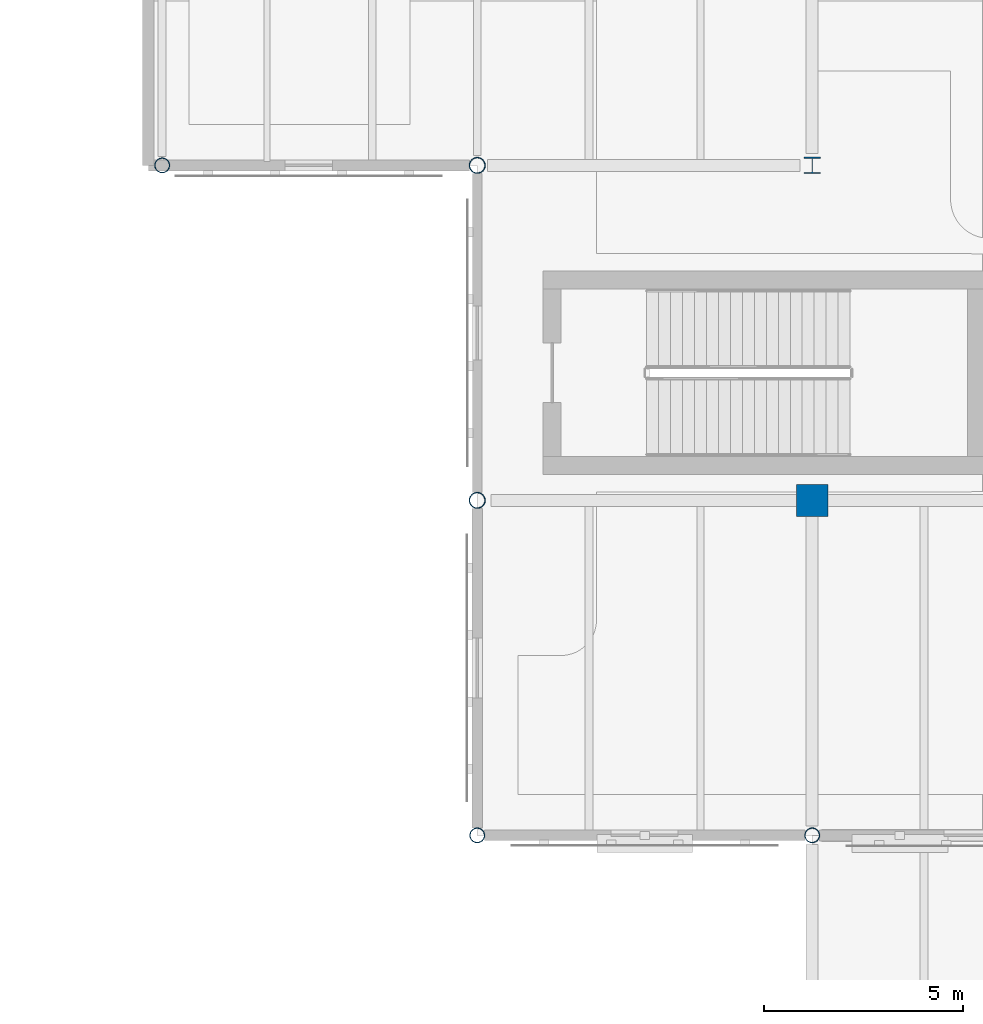
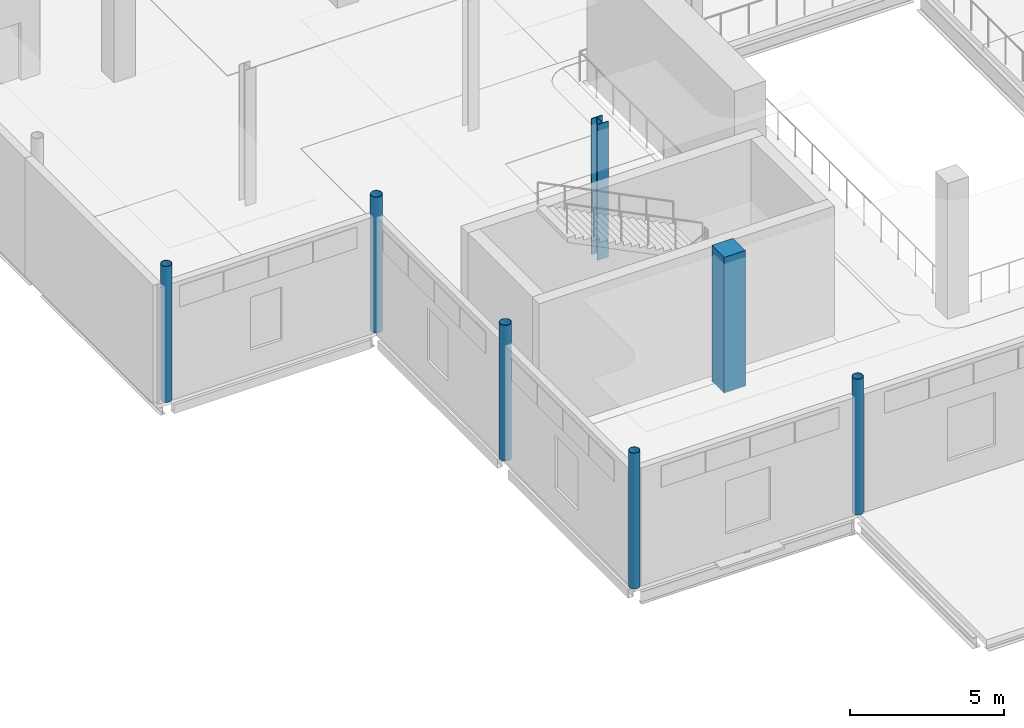
# One storey, part 3 of 110: 7 columns.
"""IFC4 building model written with IfcOpenShell, lengths in metres."""

from ifc_helpers import new_model, si_unit, direction, frame, origin, origin_2d, place, context, subcontext, project, spatial, rectangle, hollow_circle, i_section, extrude, material, material_profile, profile_set, type_object, element, save


model = new_model("IFC4")

# Units and contexts
model_context = context("Model", 3, precision=1e-05, world=origin(), true_north=direction((0.0, 1.0)))
body_context = subcontext(model_context, "Body", "Model", "MODEL_VIEW")
ifc_project = project(units=[si_unit("LENGTHUNIT", "METRE"), si_unit("AREAUNIT", "SQUARE_METRE"), si_unit("VOLUMEUNIT", "CUBIC_METRE"), si_unit("PLANEANGLEUNIT", "RADIAN"), si_unit("MASSUNIT", "GRAM", prefix="KILO"), si_unit("THERMODYNAMICTEMPERATUREUNIT", "KELVIN")], contexts=[model_context])

# Site, building, storey
site_placement = place(None, origin())
site = spatial("IfcSite", under=ifc_project, at=site_placement, CompositionType="ELEMENT")
building_placement = place(site_placement, origin())
building = spatial("IfcBuilding", under=site, at=building_placement, Name="Lustrewick Department Store", CompositionType="ELEMENT")
storey_placement = place(building_placement, frame((0.0, 0.0, 6.0)))
storey = spatial("IfcBuildingStorey", under=building, at=storey_placement, Name="L02", CompositionType="ELEMENT", Elevation=6.0)

# Columns
ifc_material_1 = material(Name="Structural steel Q355C", Category="steel")
ifc_material_profile_1 = material_profile(ifc_material_1, i_section(OverallWidth=0.405029296875, OverallDepth=0.4140625, WebThickness=0.01806640625, FlangeThickness=0.028076171875, FilletRadius=0.02197265625, at=origin_2d()), Name="HW 414x405x18x28")
ifc_profile_set_1 = profile_set([ifc_material_profile_1], Name="Structural steel Q355C")
column_type_1 = type_object("IfcColumnType", Name="C10", PredefinedType="COLUMN", material=ifc_profile_set_1)
column_1_placement = place(storey_placement, frame((126.0, 25.199951171875, 0.0), z_axis=(0.0, 0.0, 1.0), x_axis=(1.0, 0.0, 0.0)))
element("IfcColumn", 1, at=column_1_placement, inside=storey, type_object=column_type_1, Name="L02 V3 Column C10", PredefinedType="COLUMN", context=body_context, shape_type="SweptSolid", body=[
    extrude(i_section(OverallWidth=0.405029296875, OverallDepth=0.4140625, WebThickness=0.01806640625, FlangeThickness=0.028076171875, FilletRadius=0.02197265625, at=origin_2d()), origin(), (0.0, 0.0, 1.0), 5.39990234375),
])
ifc_material_2 = material(Name="Concrete C40", Category="concrete")
ifc_material_profile_2 = material_profile(ifc_material_2, rectangle(XDim=0.800048828125, YDim=0.800048828125, at=origin_2d()), Name="RC 800x800")
ifc_profile_set_2 = profile_set([ifc_material_profile_2], Name="Concrete C40")
column_type_2 = type_object("IfcColumnType", Name="C19", PredefinedType="COLUMN", material=ifc_profile_set_2)
column_2_placement = place(storey_placement, frame((126.0, 16.800048828125, 0.0), z_axis=(0.0, 0.0, 1.0), x_axis=(1.0, 0.0, 0.0)))
element("IfcColumn", 2, at=column_2_placement, inside=storey, type_object=column_type_2, Name="L02 V3 Column C19", PredefinedType="COLUMN", context=body_context, shape_type="SweptSolid", body=[
    extrude(rectangle(XDim=0.800048828125, YDim=0.800048828125, at=origin_2d()), origin(), (0.0, 0.0, 1.0), 5.39990234375),
])
ifc_material_profile_3 = material_profile(ifc_material_1, hollow_circle(Radius=0.202880859375, WallThickness=0.01611328125, at=origin_2d()), Name="CHS 406x16")
ifc_profile_set_3 = profile_set([ifc_material_profile_3], Name="Structural steel Q355C")
column_type_3 = type_object("IfcColumnType", Name="CE03", PredefinedType="COLUMN", material=ifc_profile_set_3)
for number, where, z_axis, x_axis, name in (
    (3, (117.60009765625, 16.800048828125, 0.0), (0.0, 0.0, 1.0), (1.0, 0.0, 0.0), "L02 V3 Column CE03"),
    (4, (117.60009765625, 25.199951171875, 0.0), (0.0, 0.0, 1.0), (1.0, 0.0, 0.0), "L02 V3 Column CE03"),
):
    element("IfcColumn", number, at=place(storey_placement, frame(where, z_axis=z_axis, x_axis=x_axis)), inside=storey, type_object=column_type_3, Name=name, PredefinedType="COLUMN", context=body_context, shape_type="SweptSolid", body=[
        extrude(hollow_circle(Radius=0.202880859375, WallThickness=0.01611328125, at=origin_2d()), origin(), (0.0, 0.0, 1.0), 5.39990234375),
    ])
ifc_material_3 = material(Name="Structural steel Q355B", Category="steel")
ifc_material_profile_4 = material_profile(ifc_material_3, hollow_circle(Radius=0.1884765625, WallThickness=0.013916015625, at=origin_2d()), Name="CHS 377x14")
ifc_profile_set_4 = profile_set([ifc_material_profile_4], Name="Structural steel Q355B")
column_type_4 = type_object("IfcColumnType", Name="CE04", PredefinedType="COLUMN", material=ifc_profile_set_4)
for number, where, z_axis, x_axis, name in (
    (5, (109.699951171875, 25.199951171875, 0.0), (0.0, 0.0, 1.0), (1.0, 0.0, 0.0), "L02 V3 Column CE04"),
    (6, (117.60009765625, 8.39990234375, 0.0), (0.0, 0.0, 1.0), (1.0, 0.0, 0.0), "L02 V3 Column CE04"),
    (7, (126.0, 8.39990234375, 0.0), (0.0, 0.0, 1.0), (1.0, 0.0, 0.0), "L02 V3 Column CE04"),
):
    element("IfcColumn", number, at=place(storey_placement, frame(where, z_axis=z_axis, x_axis=x_axis)), inside=storey, type_object=column_type_4, Name=name, PredefinedType="COLUMN", context=body_context, shape_type="SweptSolid", body=[
        extrude(hollow_circle(Radius=0.1884765625, WallThickness=0.013916015625, at=origin_2d()), origin(), (0.0, 0.0, 1.0), 5.39990234375),
    ])

save(model, "model.ifc")
